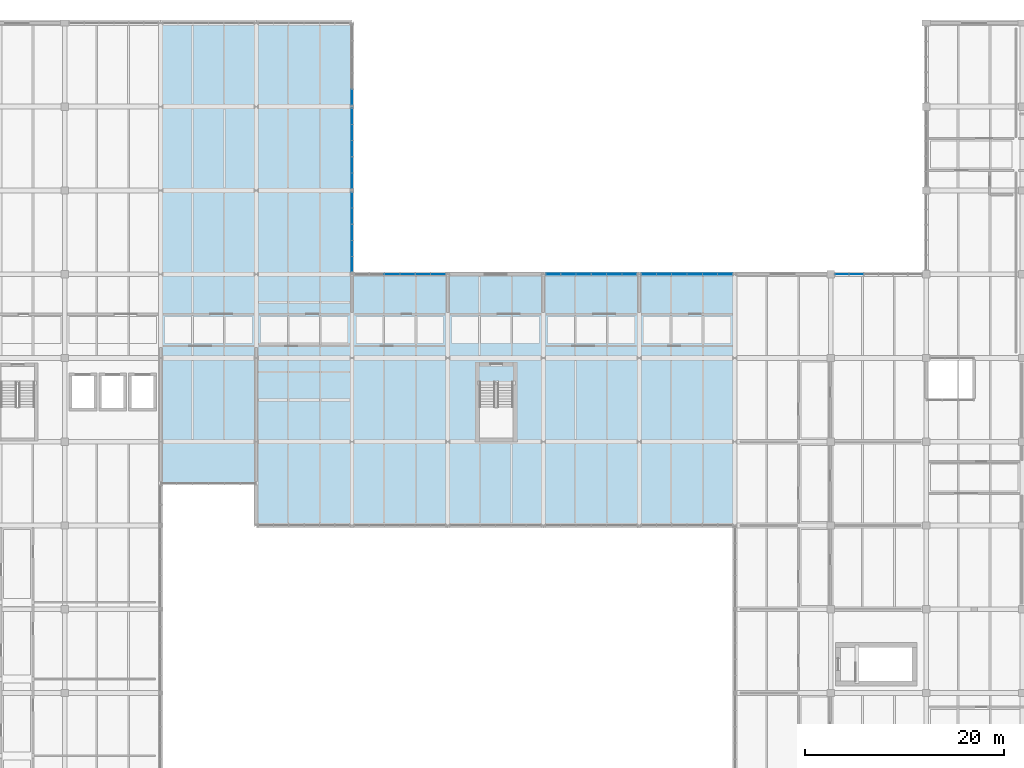
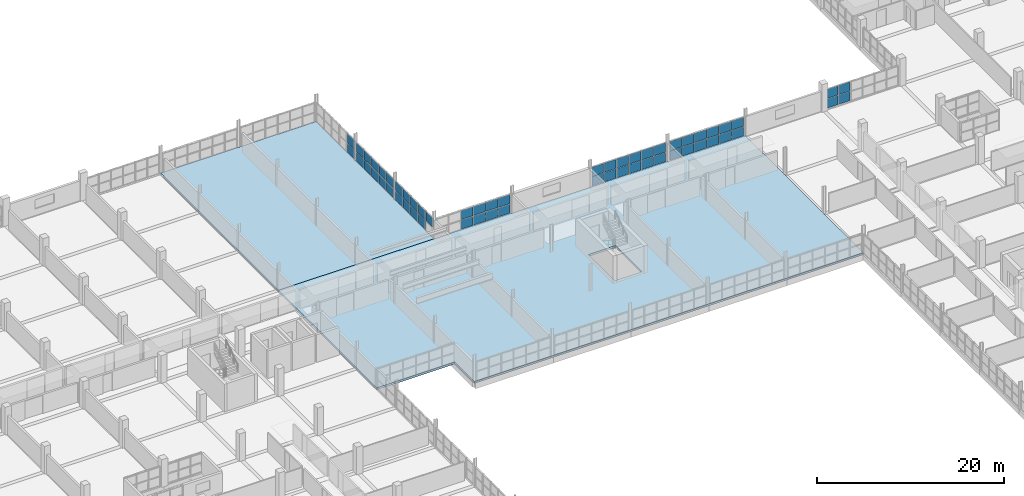
# One storey, part 97 of 147: 57 plates, 2 slabs, 7 elements without a shape of their own.
"""IFC4 building model written with IfcOpenShell, lengths in metres."""

import ifcopenshell
import ifcopenshell.guid

model = None  # the IFC model being written
_history = None  # IfcOwnerHistory: only IFC2X3 demands one
_inside = {}  # id of a spatial element -> (the spatial element, [elements in it])
_under = {}  # id of a project, library or spatial element -> (it, [spatial elements below it])
_declared = {}  # id of a project -> (the project, [libraries it declares])
_typed = {}  # id of a type object -> (the type object, [elements of that type])
_made_of = {}  # id of a material, layer set ... -> (it, [elements and type objects made of it])


def new_model(schema):
    """Start an empty IFC model of exactly this schema.

    Asked for "IFC4X3", IfcOpenShell would pick the latest addendum, in which some entities
    have other attributes; the version numbers below select the first issue.
    IFC2X3 requires an IfcOwnerHistory on every rooted entity: one is made here for all.
    """
    global model, _history
    if schema == "IFC4X3":
        model = ifcopenshell.file(schema_version=(4, 3, 0, 0))
    else:
        model = ifcopenshell.file(schema=schema)
    _inside.clear()
    _under.clear()
    _declared.clear()
    _typed.clear()
    _made_of.clear()
    _history = None
    if model.schema == "IFC2X3":
        org = make("IfcOrganization", Name="unknown")
        user = make(
            "IfcPersonAndOrganization",
            ThePerson=make("IfcPerson", FamilyName="unknown"),
            TheOrganization=org,
        )
        app = make(
            "IfcApplication",
            ApplicationDeveloper=org,
            Version="unknown",
            ApplicationFullName="unknown",
            ApplicationIdentifier="unknown",
        )
        _history = make(
            "IfcOwnerHistory",
            OwningUser=user,
            OwningApplication=app,
            ChangeAction="ADDED",
            CreationDate=0,
        )
    return model


def make(cls, **values):
    """One entity of the class cls with the attributes given. An attribute that is None is left unset."""
    return model.create_entity(
        cls, **{name: value for name, value in values.items() if value is not None}
    )


def rooted(cls, **values):
    """An entity with a GlobalId (a new one), such as an element, a storey or a relation."""
    return make(cls, GlobalId=ifcopenshell.guid.new(), OwnerHistory=_history, **values)


def si_unit(unit_type, name, prefix=None):
    """IfcSIUnit, for example si_unit("LENGTHUNIT", "METRE", prefix="MILLI")."""
    return make("IfcSIUnit", UnitType=unit_type, Prefix=prefix, Name=name)


def assignment(units):
    """IfcUnitAssignment: the units of a project."""
    return None if units is None else make("IfcUnitAssignment", Units=units)


def point(xyz):
    """IfcCartesianPoint."""
    return None if xyz is None else make("IfcCartesianPoint", Coordinates=xyz)


def direction(xyz):
    """IfcDirection."""
    return None if xyz is None else make("IfcDirection", DirectionRatios=xyz)


def frame(location, z_axis=None, x_axis=None):
    """IfcAxis2Placement3D, a coordinate frame: its origin and axes. An axis left out is left unset."""
    return make(
        "IfcAxis2Placement3D",
        Location=point(location),
        Axis=direction(z_axis),
        RefDirection=direction(x_axis),
    )


def frame_2d(location, x_axis=None):
    """IfcAxis2Placement2D, a coordinate frame in the plane: its origin and x axis."""
    return make(
        "IfcAxis2Placement2D", Location=point(location), RefDirection=direction(x_axis)
    )


def origin():
    """The frame at (0, 0, 0) with its axes left unset."""
    return frame((0.0, 0.0, 0.0))


def origin_2d():
    """The frame at (0, 0) in the plane with its x axis left unset."""
    return frame_2d((0.0, 0.0))


def place(relative_to, where):
    """IfcLocalPlacement: puts the frame where relative to a parent placement (None: the world)."""
    return make(
        "IfcLocalPlacement", PlacementRelTo=relative_to, RelativePlacement=where
    )


def context(
    kind, dimensions, precision=None, world=None, true_north=None, identifier=None
):
    """IfcGeometricRepresentationContext, for example the 3D "Model" context."""
    return make(
        "IfcGeometricRepresentationContext",
        ContextIdentifier=identifier,
        ContextType=kind,
        CoordinateSpaceDimension=dimensions,
        Precision=precision,
        WorldCoordinateSystem=world,
        TrueNorth=true_north,
    )


def subcontext(parent, identifier, kind, view, scale=None):
    """IfcGeometricRepresentationSubContext, for example "Body" below "Model"."""
    return make(
        "IfcGeometricRepresentationSubContext",
        ContextIdentifier=identifier,
        ContextType=kind,
        ParentContext=parent,
        TargetScale=scale,
        TargetView=view,
    )


def project(units=None, contexts=None):
    """IfcProject with its units and contexts."""
    return rooted(
        "IfcProject",
        Name="project",
        RepresentationContexts=contexts,
        UnitsInContext=assignment(units),
    )


def spatial(cls, under=None, at=None, **own):
    """A site, building, storey or space (cls), placed at a placement, below another one or the project."""
    s = rooted(cls, ObjectPlacement=at, **own)
    if under is not None:
        _under.setdefault(under.id(), (under, []))[1].append(s)
    return s


def polyline(points):
    """IfcPolyline through the points."""
    return make("IfcPolyline", Points=[point(p) for p in points])


def profile(cls, at=None, kind="AREA", **sizes):
    """A parametric profile (cls). Its sizes go by their IFC names, for example OverallWidth=200.0."""
    return make(cls, ProfileType=kind, Position=at, **sizes)


def rectangle(**sizes):
    """IfcRectangleProfileDef."""
    return profile("IfcRectangleProfileDef", **sizes)


def outline(outer, holes=None, kind="AREA"):
    """IfcArbitraryClosedProfileDef: a profile drawn as a closed curve; with holes, ...WithVoids."""
    if holes is None:
        return make("IfcArbitraryClosedProfileDef", ProfileType=kind, OuterCurve=outer)
    return make(
        "IfcArbitraryProfileDefWithVoids",
        ProfileType=kind,
        OuterCurve=outer,
        InnerCurves=holes,
    )


def extrude(swept, where, along, depth):
    """IfcExtrudedAreaSolid: the profile swept, set in the frame where, extruded along a direction by depth."""
    return make(
        "IfcExtrudedAreaSolid",
        SweptArea=swept,
        Position=where,
        ExtrudedDirection=direction(along),
        Depth=depth,
    )


def shape(context_of_items, identifier, shape_type, items):
    """IfcShapeRepresentation: the items that make up one representation, for example the "Body"."""
    return make(
        "IfcShapeRepresentation",
        ContextOfItems=context_of_items,
        RepresentationIdentifier=identifier,
        RepresentationType=shape_type,
        Items=items,
    )


def material(Name=None, Category=None):
    """IfcMaterial."""
    return make("IfcMaterial", Name=Name, Category=Category)


def layer(
    of_material, thickness, ventilated=None, Name=None, Category=None, Priority=None
):
    """IfcMaterialLayer: one layer of a wall or slab, of a material (None: an air gap)."""
    return make(
        "IfcMaterialLayer",
        Material=of_material,
        LayerThickness=thickness,
        IsVentilated=ventilated,
        Name=Name,
        Category=Category,
        Priority=Priority,
    )


def layer_set(layers, Name=None):
    """IfcMaterialLayerSet."""
    return make("IfcMaterialLayerSet", MaterialLayers=layers, LayerSetName=Name)


def made_of(thing, what):
    """Note that an element or type object is made of a material, layer set ...; save() writes the relation."""
    if what is not None:
        _made_of.setdefault(what.id(), (what, []))[1].append(thing)
    return thing


def type_object(cls, material=None, **own):
    """A type object (cls), such as IfcWallType, which elements share."""
    return made_of(rooted(cls, **own), material)


def element(
    cls,
    number,
    at=None,
    inside=None,
    cuts=None,
    type_object=None,
    material=None,
    context=None,
    identifier="Body",
    shape_type=None,
    held_by="IfcProductDefinitionShape",
    body=None,
    shapes=None,
    **own,
):
    """One element of the class cls, such as IfcWall. Its Tag is "e" and its number.

    at: its placement. inside: the storey or other place that contains it. cuts: it is an
    opening in that element (IfcRelVoidsElement). A single representation is given by context,
    identifier, shape_type and body (its items); several are given by shapes. held_by: the class
    of the entity that holds the representations. save() writes the other relations.
    """
    e = rooted(cls, Tag="e%d" % number, ObjectPlacement=at, **own)
    if body is not None:
        shapes = [shape(context, identifier, shape_type, body)]
    if shapes is not None:
        e.Representation = make(held_by, Representations=shapes)
    if inside is not None:
        _inside.setdefault(inside.id(), (inside, []))[1].append(e)
    if cuts is not None:
        rooted(
            "IfcRelVoidsElement", RelatingBuildingElement=cuts, RelatedOpeningElement=e
        )
    if type_object is not None:
        _typed.setdefault(type_object.id(), (type_object, []))[1].append(e)
    return made_of(e, material)


def aggregate(whole, parts):
    """IfcRelAggregates: a whole, such as a stair, and the parts it consists of."""
    return rooted("IfcRelAggregates", RelatingObject=whole, RelatedObjects=parts)


def save(model, path):
    """Write the relations noted so far, then the file.

    IfcRelAggregates (storeys below a building ...), IfcRelContainedInSpatialStructure (elements
    in a storey), IfcRelDefinesByType, IfcRelAssociatesMaterial and IfcRelDeclares: one each for
    every whole, place, type object, material and project.
    """
    for whole, parts in _under.values():
        aggregate(whole, parts)
    for where, things in _inside.values():
        rooted(
            "IfcRelContainedInSpatialStructure",
            RelatedElements=things,
            RelatingStructure=where,
        )
    for kind, things in _typed.values():
        rooted("IfcRelDefinesByType", RelatedObjects=things, RelatingType=kind)
    for what, things in _made_of.values():
        rooted("IfcRelAssociatesMaterial", RelatedObjects=things, RelatingMaterial=what)
    for by, libraries in _declared.values():
        rooted("IfcRelDeclares", RelatingContext=by, RelatedDefinitions=libraries)
    model.write(path)


model = new_model("IFC4")

# Units and contexts
model_context = context("Model", 3, precision=1e-05, world=origin(), true_north=direction((0.0, 1.0)))
body_context = subcontext(model_context, "Body", "Model", "MODEL_VIEW")
ifc_project = project(units=[si_unit("LENGTHUNIT", "METRE"), si_unit("AREAUNIT", "SQUARE_METRE"), si_unit("VOLUMEUNIT", "CUBIC_METRE"), si_unit("PLANEANGLEUNIT", "RADIAN"), si_unit("MASSUNIT", "GRAM", prefix="KILO")], contexts=[model_context])

# Site, building, storey
site_placement = place(None, origin())
site = spatial("IfcSite", under=ifc_project, at=site_placement, CompositionType="ELEMENT")
building_placement = place(site_placement, origin())
building = spatial("IfcBuilding", under=site, at=building_placement, Name="Oolite Switchyard Hospital", CompositionType="ELEMENT")
storey_placement = place(building_placement, frame((0.0, 0.0, 9.89990234375)))
storey = spatial("IfcBuildingStorey", under=building, at=storey_placement, Name="L02", CompositionType="ELEMENT", Elevation=9.89990234375)

# Curtain wall, plates
ifc_material_1 = material(Name="Thermally broken aluminum frame with laminated impact glazing", Category="aluminium")
curtain_wall_type_1 = type_object("IfcCurtainWallType", Name="CW-UNIT-96X36", PredefinedType="USERDEFINED", material=ifc_material_1)
curtain_wall_1_placement = place(storey_placement, origin())
curtain_wall_1 = element("IfcCurtainWall", 1, at=curtain_wall_1_placement, inside=storey, type_object=curtain_wall_type_1, Name="L02 Unitised Curtain Wall 264", ObjectType="UNITISED", PredefinedType="USERDEFINED")
ifc_material_2 = material(Name="Insulated fluoropolymer-coated aluminum spandrel panel", Category="aluminium")
ifc_layer_1 = layer(ifc_material_2, 0.054931640625)
ifc_layer_set_1 = layer_set([ifc_layer_1], Name="CW-PNL-SPN55")
plate_type_1 = type_object("IfcPlateType", Name="CW-PNL-SPN55", PredefinedType="CURTAIN_PANEL", material=ifc_layer_set_1)
plate_1_placement = place(storey_placement, frame((96.9794921875, 109.199951171875, 0.06005859375), z_axis=(0.0, 0.0, 1.0), x_axis=(1.0, 0.0, 0.0)))
plate_1 = element("IfcPlate", 2, at=plate_1_placement, type_object=plate_type_1, Name="CW-03 panel 1.1", PredefinedType="CURTAIN_PANEL", context=body_context, shape_type="SweptSolid", body=[
    extrude(rectangle(XDim=1.423095703125, YDim=0.054931640625, at=origin_2d()), origin(), (0.0, 0.0, 1.0), 1.195068359375),
])
plate_2_placement = place(storey_placement, frame((96.9794921875, 109.199951171875, 1.31494140625), z_axis=(0.0, 0.0, 1.0), x_axis=(1.0, 0.0, 0.0)))
plate_2 = element("IfcPlate", 3, at=plate_2_placement, type_object=plate_type_1, Name="CW-03 panel 1.2", PredefinedType="CURTAIN_PANEL", context=body_context, shape_type="SweptSolid", body=[
    extrude(rectangle(XDim=1.423095703125, YDim=0.054931640625, at=origin_2d()), origin(), (0.0, 0.0, 1.0), 1.195068359375),
])
plate_3_placement = place(storey_placement, frame((98.49658203125, 109.199951171875, 0.06005859375), z_axis=(0.0, 0.0, 1.0), x_axis=(1.0, 0.0, 0.0)))
plate_3 = element("IfcPlate", 4, at=plate_3_placement, type_object=plate_type_1, Name="CW-03 panel 2.1", PredefinedType="CURTAIN_PANEL", context=body_context, shape_type="SweptSolid", body=[
    extrude(rectangle(XDim=1.460693359375, YDim=0.054931640625, at=origin_2d()), origin(), (0.0, 0.0, 1.0), 1.195068359375),
])
plate_4_placement = place(storey_placement, frame((98.49658203125, 109.199951171875, 1.31494140625), z_axis=(0.0, 0.0, 1.0), x_axis=(1.0, 0.0, 0.0)))
plate_4 = element("IfcPlate", 5, at=plate_4_placement, type_object=plate_type_1, Name="CW-03 panel 2.2", PredefinedType="CURTAIN_PANEL", context=body_context, shape_type="SweptSolid", body=[
    extrude(rectangle(XDim=1.460693359375, YDim=0.054931640625, at=origin_2d()), origin(), (0.0, 0.0, 1.0), 1.195068359375),
])
plate_5_placement = place(storey_placement, frame((100.0322265625, 109.199951171875, 0.06005859375), z_axis=(0.0, 0.0, 1.0), x_axis=(1.0, 0.0, 0.0)))
plate_5 = element("IfcPlate", 6, at=plate_5_placement, type_object=plate_type_1, Name="CW-03 panel 3.1", PredefinedType="CURTAIN_PANEL", context=body_context, shape_type="SweptSolid", body=[
    extrude(rectangle(XDim=1.460693359375, YDim=0.054931640625, at=origin_2d()), origin(), (0.0, 0.0, 1.0), 1.195068359375),
])
plate_6_placement = place(storey_placement, frame((100.0322265625, 109.199951171875, 1.31494140625), z_axis=(0.0, 0.0, 1.0), x_axis=(1.0, 0.0, 0.0)))
plate_6 = element("IfcPlate", 7, at=plate_6_placement, type_object=plate_type_1, Name="CW-03 panel 3.2", PredefinedType="CURTAIN_PANEL", context=body_context, shape_type="SweptSolid", body=[
    extrude(rectangle(XDim=1.460693359375, YDim=0.054931640625, at=origin_2d()), origin(), (0.0, 0.0, 1.0), 1.195068359375),
])
plate_7_placement = place(storey_placement, frame((101.56787109375, 109.199951171875, 0.06005859375), z_axis=(0.0, 0.0, 1.0), x_axis=(1.0, 0.0, 0.0)))
plate_7 = element("IfcPlate", 8, at=plate_7_placement, type_object=plate_type_1, Name="CW-03 panel 4.1", PredefinedType="CURTAIN_PANEL", context=body_context, shape_type="SweptSolid", body=[
    extrude(rectangle(XDim=1.460693359375, YDim=0.054931640625, at=origin_2d()), origin(), (0.0, 0.0, 1.0), 1.195068359375),
])
plate_8_placement = place(storey_placement, frame((101.56787109375, 109.199951171875, 1.31494140625), z_axis=(0.0, 0.0, 1.0), x_axis=(1.0, 0.0, 0.0)))
plate_8 = element("IfcPlate", 9, at=plate_8_placement, type_object=plate_type_1, Name="CW-03 panel 4.2", PredefinedType="CURTAIN_PANEL", context=body_context, shape_type="SweptSolid", body=[
    extrude(rectangle(XDim=1.460693359375, YDim=0.054931640625, at=origin_2d()), origin(), (0.0, 0.0, 1.0), 1.195068359375),
])
plate_9_placement = place(storey_placement, frame((103.103515625, 109.199951171875, 0.06005859375), z_axis=(0.0, 0.0, 1.0), x_axis=(1.0, 0.0, 0.0)))
plate_9 = element("IfcPlate", 10, at=plate_9_placement, type_object=plate_type_1, Name="CW-03 panel 5.1", PredefinedType="CURTAIN_PANEL", context=body_context, shape_type="SweptSolid", body=[
    extrude(rectangle(XDim=1.460693359375, YDim=0.054931640625, at=origin_2d()), origin(), (0.0, 0.0, 1.0), 1.195068359375),
])
plate_10_placement = place(storey_placement, frame((103.103515625, 109.199951171875, 1.31494140625), z_axis=(0.0, 0.0, 1.0), x_axis=(1.0, 0.0, 0.0)))
plate_10 = element("IfcPlate", 11, at=plate_10_placement, type_object=plate_type_1, Name="CW-03 panel 5.2", PredefinedType="CURTAIN_PANEL", context=body_context, shape_type="SweptSolid", body=[
    extrude(rectangle(XDim=1.460693359375, YDim=0.054931640625, at=origin_2d()), origin(), (0.0, 0.0, 1.0), 1.195068359375),
])
plate_11_placement = place(storey_placement, frame((104.620361328125, 109.199951171875, 0.06005859375), z_axis=(0.0, 0.0, 1.0), x_axis=(1.0, 0.0, 0.0)))
plate_11 = element("IfcPlate", 12, at=plate_11_placement, type_object=plate_type_1, Name="CW-03 panel 6.1", PredefinedType="CURTAIN_PANEL", context=body_context, shape_type="SweptSolid", body=[
    extrude(rectangle(XDim=1.423095703125, YDim=0.054931640625, at=origin_2d()), origin(), (0.0, 0.0, 1.0), 1.195068359375),
])
plate_12_placement = place(storey_placement, frame((104.620361328125, 109.199951171875, 1.31494140625), z_axis=(0.0, 0.0, 1.0), x_axis=(1.0, 0.0, 0.0)))
plate_12 = element("IfcPlate", 13, at=plate_12_placement, type_object=plate_type_1, Name="CW-03 panel 6.2", PredefinedType="CURTAIN_PANEL", context=body_context, shape_type="SweptSolid", body=[
    extrude(rectangle(XDim=1.423095703125, YDim=0.054931640625, at=origin_2d()), origin(), (0.0, 0.0, 1.0), 1.195068359375),
])
aggregate(curtain_wall_1, [plate_1, plate_2, plate_3, plate_4, plate_5, plate_6, plate_7, plate_8, plate_9, plate_10, plate_11, plate_12])

curtain_wall_2_placement = place(storey_placement, origin())
curtain_wall_2 = element("IfcCurtainWall", 14, at=curtain_wall_2_placement, inside=storey, type_object=curtain_wall_type_1, Name="L02 Unitised Curtain Wall 265", ObjectType="UNITISED", PredefinedType="USERDEFINED")
ifc_layer_2 = layer(ifc_material_2, 0.070068359375)
ifc_layer_set_2 = layer_set([ifc_layer_2], Name="CW-PNL-SPN70")
plate_type_2 = type_object("IfcPlateType", Name="CW-PNL-SPN70", PredefinedType="CURTAIN_PANEL", material=ifc_layer_set_2)
plate_13_placement = place(storey_placement, frame((106.575927734375, 109.199951171875, 0.0751953125), z_axis=(0.0, 0.0, 1.0), x_axis=(1.0, 0.0, 0.0)))
plate_13 = element("IfcPlate", 15, at=plate_13_placement, type_object=plate_type_2, Name="CW-03 panel 1.1", PredefinedType="CURTAIN_PANEL", context=body_context, shape_type="SweptSolid", body=[
    extrude(rectangle(XDim=1.445556640625, YDim=0.070068359375, at=origin_2d()), origin(), (0.0, 0.0, 1.0), 1.172607421875),
])
plate_14_placement = place(storey_placement, frame((106.575927734375, 109.199951171875, 1.32275390625), z_axis=(0.0, 0.0, 1.0), x_axis=(1.0, 0.0, 0.0)))
plate_14 = element("IfcPlate", 16, at=plate_14_placement, type_object=plate_type_2, Name="CW-03 panel 1.2", PredefinedType="CURTAIN_PANEL", context=body_context, shape_type="SweptSolid", body=[
    extrude(rectangle(XDim=1.445556640625, YDim=0.070068359375, at=origin_2d()), origin(), (0.0, 0.0, 1.0), 1.172607421875),
])
plate_15_placement = place(storey_placement, frame((108.096435546875, 109.199951171875, 0.0751953125), z_axis=(0.0, 0.0, 1.0), x_axis=(1.0, 0.0, 0.0)))
plate_15 = element("IfcPlate", 17, at=plate_15_placement, type_object=plate_type_2, Name="CW-03 panel 2.1", PredefinedType="CURTAIN_PANEL", context=body_context, shape_type="SweptSolid", body=[
    extrude(rectangle(XDim=1.4755859375, YDim=0.070068359375, at=origin_2d()), origin(), (0.0, 0.0, 1.0), 1.172607421875),
])
plate_16_placement = place(storey_placement, frame((108.096435546875, 109.199951171875, 1.32275390625), z_axis=(0.0, 0.0, 1.0), x_axis=(1.0, 0.0, 0.0)))
plate_16 = element("IfcPlate", 18, at=plate_16_placement, type_object=plate_type_2, Name="CW-03 panel 2.2", PredefinedType="CURTAIN_PANEL", context=body_context, shape_type="SweptSolid", body=[
    extrude(rectangle(XDim=1.4755859375, YDim=0.070068359375, at=origin_2d()), origin(), (0.0, 0.0, 1.0), 1.172607421875),
])
plate_17_placement = place(storey_placement, frame((109.632080078125, 109.199951171875, 0.0751953125), z_axis=(0.0, 0.0, 1.0), x_axis=(1.0, 0.0, 0.0)))
plate_17 = element("IfcPlate", 19, at=plate_17_placement, type_object=plate_type_2, Name="CW-03 panel 3.1", PredefinedType="CURTAIN_PANEL", context=body_context, shape_type="SweptSolid", body=[
    extrude(rectangle(XDim=1.4755859375, YDim=0.070068359375, at=origin_2d()), origin(), (0.0, 0.0, 1.0), 1.172607421875),
])
plate_18_placement = place(storey_placement, frame((109.632080078125, 109.199951171875, 1.32275390625), z_axis=(0.0, 0.0, 1.0), x_axis=(1.0, 0.0, 0.0)))
plate_18 = element("IfcPlate", 20, at=plate_18_placement, type_object=plate_type_2, Name="CW-03 panel 3.2", PredefinedType="CURTAIN_PANEL", context=body_context, shape_type="SweptSolid", body=[
    extrude(rectangle(XDim=1.4755859375, YDim=0.070068359375, at=origin_2d()), origin(), (0.0, 0.0, 1.0), 1.172607421875),
])
plate_19_placement = place(storey_placement, frame((111.167724609375, 109.199951171875, 0.0751953125), z_axis=(0.0, 0.0, 1.0), x_axis=(1.0, 0.0, 0.0)))
plate_19 = element("IfcPlate", 21, at=plate_19_placement, type_object=plate_type_2, Name="CW-03 panel 4.1", PredefinedType="CURTAIN_PANEL", context=body_context, shape_type="SweptSolid", body=[
    extrude(rectangle(XDim=1.4755859375, YDim=0.070068359375, at=origin_2d()), origin(), (0.0, 0.0, 1.0), 1.172607421875),
])
plate_20_placement = place(storey_placement, frame((111.167724609375, 109.199951171875, 1.32275390625), z_axis=(0.0, 0.0, 1.0), x_axis=(1.0, 0.0, 0.0)))
plate_20 = element("IfcPlate", 22, at=plate_20_placement, type_object=plate_type_2, Name="CW-03 panel 4.2", PredefinedType="CURTAIN_PANEL", context=body_context, shape_type="SweptSolid", body=[
    extrude(rectangle(XDim=1.4755859375, YDim=0.070068359375, at=origin_2d()), origin(), (0.0, 0.0, 1.0), 1.172607421875),
])
plate_21_placement = place(storey_placement, frame((112.70361328125, 109.199951171875, 0.0751953125), z_axis=(0.0, 0.0, 1.0), x_axis=(1.0, 0.0, 0.0)))
plate_21 = element("IfcPlate", 23, at=plate_21_placement, type_object=plate_type_2, Name="CW-03 panel 5.1", PredefinedType="CURTAIN_PANEL", context=body_context, shape_type="SweptSolid", body=[
    extrude(rectangle(XDim=1.4755859375, YDim=0.070068359375, at=origin_2d()), origin(), (0.0, 0.0, 1.0), 1.172607421875),
])
plate_22_placement = place(storey_placement, frame((112.70361328125, 109.199951171875, 1.32275390625), z_axis=(0.0, 0.0, 1.0), x_axis=(1.0, 0.0, 0.0)))
plate_22 = element("IfcPlate", 24, at=plate_22_placement, type_object=plate_type_2, Name="CW-03 panel 5.2", PredefinedType="CURTAIN_PANEL", context=body_context, shape_type="SweptSolid", body=[
    extrude(rectangle(XDim=1.4755859375, YDim=0.070068359375, at=origin_2d()), origin(), (0.0, 0.0, 1.0), 1.172607421875),
])
plate_23_placement = place(storey_placement, frame((114.22412109375, 109.199951171875, 0.0751953125), z_axis=(0.0, 0.0, 1.0), x_axis=(1.0, 0.0, 0.0)))
plate_23 = element("IfcPlate", 25, at=plate_23_placement, type_object=plate_type_2, Name="CW-03 panel 6.1", PredefinedType="CURTAIN_PANEL", context=body_context, shape_type="SweptSolid", body=[
    extrude(rectangle(XDim=1.445556640625, YDim=0.070068359375, at=origin_2d()), origin(), (0.0, 0.0, 1.0), 1.172607421875),
])
plate_24_placement = place(storey_placement, frame((114.22412109375, 109.199951171875, 1.32275390625), z_axis=(0.0, 0.0, 1.0), x_axis=(1.0, 0.0, 0.0)))
plate_24 = element("IfcPlate", 26, at=plate_24_placement, type_object=plate_type_2, Name="CW-03 panel 6.2", PredefinedType="CURTAIN_PANEL", context=body_context, shape_type="SweptSolid", body=[
    extrude(rectangle(XDim=1.445556640625, YDim=0.070068359375, at=origin_2d()), origin(), (0.0, 0.0, 1.0), 1.172607421875),
])
aggregate(curtain_wall_2, [plate_13, plate_14, plate_15, plate_16, plate_17, plate_18, plate_19, plate_20, plate_21, plate_22, plate_23, plate_24])

curtain_wall_3_placement = place(storey_placement, origin())
curtain_wall_3 = element("IfcCurtainWall", 27, at=curtain_wall_3_placement, inside=storey, type_object=curtain_wall_type_1, Name="L02 Unitised Curtain Wall 263", ObjectType="UNITISED", PredefinedType="USERDEFINED")
ifc_material_3 = material(Name="Laminated hurricane-impact insulated glazing unit", Category="glass")
ifc_layer_3 = layer(ifc_material_3, 0.031982421875)
ifc_layer_set_3 = layer_set([ifc_layer_3], Name="CW-PNL-VIS32")
plate_type_3 = type_object("IfcPlateType", Name="CW-PNL-VIS32", PredefinedType="CURTAIN_PANEL", material=ifc_layer_set_3)
plate_25_placement = place(storey_placement, frame((80.832275390625, 109.199951171875, 0.0751953125), z_axis=(0.0, 0.0, 1.0), x_axis=(1.0, 0.0, 0.0)))
plate_25 = element("IfcPlate", 28, at=plate_25_placement, type_object=plate_type_3, Name="CW-03 panel 3.1", PredefinedType="CURTAIN_PANEL", context=body_context, shape_type="SweptSolid", body=[
    extrude(rectangle(XDim=1.465576171875, YDim=0.031982421875, at=origin_2d()), origin(), (0.0, 0.0, 1.0), 1.172607421875),
])
plate_26_placement = place(storey_placement, frame((80.832275390625, 109.199951171875, 1.32275390625), z_axis=(0.0, 0.0, 1.0), x_axis=(1.0, 0.0, 0.0)))
plate_26 = element("IfcPlate", 29, at=plate_26_placement, type_object=plate_type_3, Name="CW-03 panel 3.2", PredefinedType="CURTAIN_PANEL", context=body_context, shape_type="SweptSolid", body=[
    extrude(rectangle(XDim=1.465576171875, YDim=0.031982421875, at=origin_2d()), origin(), (0.0, 0.0, 1.0), 1.172607421875),
])
plate_27_placement = place(storey_placement, frame((82.367919921875, 109.199951171875, 0.0751953125), z_axis=(0.0, 0.0, 1.0), x_axis=(1.0, 0.0, 0.0)))
plate_27 = element("IfcPlate", 30, at=plate_27_placement, type_object=plate_type_3, Name="CW-03 panel 4.1", PredefinedType="CURTAIN_PANEL", context=body_context, shape_type="SweptSolid", body=[
    extrude(rectangle(XDim=1.465576171875, YDim=0.031982421875, at=origin_2d()), origin(), (0.0, 0.0, 1.0), 1.172607421875),
])
plate_28_placement = place(storey_placement, frame((82.367919921875, 109.199951171875, 1.32275390625), z_axis=(0.0, 0.0, 1.0), x_axis=(1.0, 0.0, 0.0)))
plate_28 = element("IfcPlate", 31, at=plate_28_placement, type_object=plate_type_3, Name="CW-03 panel 4.2", PredefinedType="CURTAIN_PANEL", context=body_context, shape_type="SweptSolid", body=[
    extrude(rectangle(XDim=1.465576171875, YDim=0.031982421875, at=origin_2d()), origin(), (0.0, 0.0, 1.0), 1.172607421875),
])
plate_29_placement = place(storey_placement, frame((83.903564453125, 109.199951171875, 0.0751953125), z_axis=(0.0, 0.0, 1.0), x_axis=(1.0, 0.0, 0.0)))
plate_29 = element("IfcPlate", 32, at=plate_29_placement, type_object=plate_type_3, Name="CW-03 panel 5.1", PredefinedType="CURTAIN_PANEL", context=body_context, shape_type="SweptSolid", body=[
    extrude(rectangle(XDim=1.465576171875, YDim=0.031982421875, at=origin_2d()), origin(), (0.0, 0.0, 1.0), 1.172607421875),
])
plate_30_placement = place(storey_placement, frame((83.903564453125, 109.199951171875, 1.32275390625), z_axis=(0.0, 0.0, 1.0), x_axis=(1.0, 0.0, 0.0)))
plate_30 = element("IfcPlate", 33, at=plate_30_placement, type_object=plate_type_3, Name="CW-03 panel 5.2", PredefinedType="CURTAIN_PANEL", context=body_context, shape_type="SweptSolid", body=[
    extrude(rectangle(XDim=1.465576171875, YDim=0.031982421875, at=origin_2d()), origin(), (0.0, 0.0, 1.0), 1.172607421875),
])
plate_31_placement = place(storey_placement, frame((85.421630859375, 109.199951171875, 0.0751953125), z_axis=(0.0, 0.0, 1.0), x_axis=(1.0, 0.0, 0.0)))
plate_31 = element("IfcPlate", 34, at=plate_31_placement, type_object=plate_type_3, Name="CW-03 panel 6.1", PredefinedType="CURTAIN_PANEL", context=body_context, shape_type="SweptSolid", body=[
    extrude(rectangle(XDim=1.4306640625, YDim=0.031982421875, at=origin_2d()), origin(), (0.0, 0.0, 1.0), 1.172607421875),
])
plate_32_placement = place(storey_placement, frame((85.421630859375, 109.199951171875, 1.32275390625), z_axis=(0.0, 0.0, 1.0), x_axis=(1.0, 0.0, 0.0)))
plate_32 = element("IfcPlate", 35, at=plate_32_placement, type_object=plate_type_3, Name="CW-03 panel 6.2", PredefinedType="CURTAIN_PANEL", context=body_context, shape_type="SweptSolid", body=[
    extrude(rectangle(XDim=1.4306640625, YDim=0.031982421875, at=origin_2d()), origin(), (0.0, 0.0, 1.0), 1.172607421875),
])
aggregate(curtain_wall_3, [plate_25, plate_26, plate_27, plate_28, plate_29, plate_30, plate_31, plate_32])

curtain_wall_type_2 = type_object("IfcCurtainWallType", Name="CW-UNIT-84X36", PredefinedType="USERDEFINED", material=ifc_material_1)
curtain_wall_4_placement = place(storey_placement, origin())
curtain_wall_4 = element("IfcCurtainWall", 36, at=curtain_wall_4_placement, inside=storey, type_object=curtain_wall_type_2, Name="L02 Unitised Curtain Wall 288", ObjectType="UNITISED", PredefinedType="USERDEFINED")
plate_33_placement = place(storey_placement, frame((76.800048828125, 126.970458984375, 0.06005859375), z_axis=(0.0, 0.0, 1.0), x_axis=(0.0, -1.0, 0.0)))
plate_33 = element("IfcPlate", 37, at=plate_33_placement, type_object=plate_type_3, Name="CW-08 panel 5.1", PredefinedType="CURTAIN_PANEL", context=body_context, shape_type="SweptSolid", body=[
    extrude(rectangle(XDim=1.507080078125, YDim=0.031982421875, at=origin_2d()), origin(), (0.0, 0.0, 1.0), 1.195068359375),
])
plate_34_placement = place(storey_placement, frame((76.800048828125, 126.970458984375, 1.31494140625), z_axis=(0.0, 0.0, 1.0), x_axis=(0.0, -1.0, 0.0)))
plate_34 = element("IfcPlate", 38, at=plate_34_placement, type_object=plate_type_3, Name="CW-08 panel 5.2", PredefinedType="CURTAIN_PANEL", context=body_context, shape_type="SweptSolid", body=[
    extrude(rectangle(XDim=1.507080078125, YDim=0.031982421875, at=origin_2d()), origin(), (0.0, 0.0, 1.0), 1.195068359375),
])
aggregate(curtain_wall_4, [plate_33, plate_34])

curtain_wall_5_placement = place(storey_placement, origin())
curtain_wall_5 = element("IfcCurtainWall", 39, at=curtain_wall_5_placement, inside=storey, type_object=curtain_wall_type_1, Name="L02 Unitised Curtain Wall 266", ObjectType="UNITISED", PredefinedType="USERDEFINED")
ifc_layer_4 = layer(ifc_material_3, 0.035888671875)
ifc_layer_set_4 = layer_set([ifc_layer_4], Name="CW-PNL-VIS36")
plate_type_4 = type_object("IfcPlateType", Name="CW-PNL-VIS36", PredefinedType="CURTAIN_PANEL", material=ifc_layer_set_4)
plate_35_placement = place(storey_placement, frame((125.9423828125, 109.199951171875, 0.06005859375), z_axis=(0.0, 0.0, 1.0), x_axis=(1.0, 0.0, 0.0)))
plate_35 = element("IfcPlate", 40, at=plate_35_placement, type_object=plate_type_4, Name="CW-03 panel 1.1", PredefinedType="CURTAIN_PANEL", context=body_context, shape_type="SweptSolid", body=[
    extrude(rectangle(XDim=1.364990234375, YDim=0.035888671875, at=origin_2d()), origin(), (0.0, 0.0, 1.0), 1.195068359375),
])
plate_36_placement = place(storey_placement, frame((125.9423828125, 109.199951171875, 1.31494140625), z_axis=(0.0, 0.0, 1.0), x_axis=(1.0, 0.0, 0.0)))
plate_36 = element("IfcPlate", 41, at=plate_36_placement, type_object=plate_type_4, Name="CW-03 panel 1.2", PredefinedType="CURTAIN_PANEL", context=body_context, shape_type="SweptSolid", body=[
    extrude(rectangle(XDim=1.364990234375, YDim=0.035888671875, at=origin_2d()), origin(), (0.0, 0.0, 1.0), 1.195068359375),
])
plate_37_placement = place(storey_placement, frame((127.39501953125, 109.199951171875, 0.06005859375), z_axis=(0.0, 0.0, 1.0), x_axis=(1.0, 0.0, 0.0)))
plate_37 = element("IfcPlate", 42, at=plate_37_placement, type_object=plate_type_4, Name="CW-03 panel 2.1", PredefinedType="CURTAIN_PANEL", context=body_context, shape_type="SweptSolid", body=[
    extrude(rectangle(XDim=1.39990234375, YDim=0.035888671875, at=origin_2d()), origin(), (0.0, 0.0, 1.0), 1.195068359375),
])
plate_38_placement = place(storey_placement, frame((127.39501953125, 109.199951171875, 1.31494140625), z_axis=(0.0, 0.0, 1.0), x_axis=(1.0, 0.0, 0.0)))
plate_38 = element("IfcPlate", 43, at=plate_38_placement, type_object=plate_type_4, Name="CW-03 panel 2.2", PredefinedType="CURTAIN_PANEL", context=body_context, shape_type="SweptSolid", body=[
    extrude(rectangle(XDim=1.39990234375, YDim=0.035888671875, at=origin_2d()), origin(), (0.0, 0.0, 1.0), 1.195068359375),
])
aggregate(curtain_wall_5, [plate_35, plate_36, plate_37, plate_38])

curtain_wall_6_placement = place(storey_placement, origin())
curtain_wall_6 = element("IfcCurtainWall", 44, at=curtain_wall_6_placement, inside=storey, type_object=curtain_wall_type_2, Name="L02 Unitised Curtain Wall 289", ObjectType="UNITISED", PredefinedType="USERDEFINED")
plate_39_placement = place(storey_placement, frame((76.800048828125, 125.031494140625, 0.0751953125), z_axis=(0.0, 0.0, 1.0), x_axis=(0.0, -1.0, 0.0)))
plate_39 = element("IfcPlate", 45, at=plate_39_placement, type_object=plate_type_4, Name="CW-08 panel 1.1", PredefinedType="CURTAIN_PANEL", context=body_context, shape_type="SweptSolid", body=[
    extrude(rectangle(XDim=1.533203125, YDim=0.035888671875, at=origin_2d()), origin(), (0.0, 0.0, 1.0), 1.172607421875),
])
plate_40_placement = place(storey_placement, frame((76.800048828125, 125.031494140625, 1.32275390625), z_axis=(0.0, 0.0, 1.0), x_axis=(0.0, -1.0, 0.0)))
plate_40 = element("IfcPlate", 46, at=plate_40_placement, type_object=plate_type_4, Name="CW-08 panel 1.2", PredefinedType="CURTAIN_PANEL", context=body_context, shape_type="SweptSolid", body=[
    extrude(rectangle(XDim=1.533203125, YDim=0.035888671875, at=origin_2d()), origin(), (0.0, 0.0, 1.0), 1.172607421875),
])
plate_41_placement = place(storey_placement, frame((76.800048828125, 123.423095703125, 0.0751953125), z_axis=(0.0, 0.0, 1.0), x_axis=(0.0, -1.0, 0.0)))
plate_41 = element("IfcPlate", 47, at=plate_41_placement, type_object=plate_type_4, Name="CW-08 panel 2.1", PredefinedType="CURTAIN_PANEL", context=body_context, shape_type="SweptSolid", body=[
    extrude(rectangle(XDim=1.563232421875, YDim=0.035888671875, at=origin_2d()), origin(), (0.0, 0.0, 1.0), 1.172607421875),
])
plate_42_placement = place(storey_placement, frame((76.800048828125, 123.423095703125, 1.32275390625), z_axis=(0.0, 0.0, 1.0), x_axis=(0.0, -1.0, 0.0)))
plate_42 = element("IfcPlate", 48, at=plate_42_placement, type_object=plate_type_4, Name="CW-08 panel 2.2", PredefinedType="CURTAIN_PANEL", context=body_context, shape_type="SweptSolid", body=[
    extrude(rectangle(XDim=1.563232421875, YDim=0.035888671875, at=origin_2d()), origin(), (0.0, 0.0, 1.0), 1.172607421875),
])
plate_43_placement = place(storey_placement, frame((76.800048828125, 121.800048828125, 0.0751953125), z_axis=(0.0, 0.0, 1.0), x_axis=(0.0, -1.0, 0.0)))
plate_43 = element("IfcPlate", 49, at=plate_43_placement, type_object=plate_type_4, Name="CW-08 panel 3.1", PredefinedType="CURTAIN_PANEL", context=body_context, shape_type="SweptSolid", body=[
    extrude(rectangle(XDim=1.563232421875, YDim=0.035888671875, at=origin_2d()), origin(), (0.0, 0.0, 1.0), 1.172607421875),
])
plate_44_placement = place(storey_placement, frame((76.800048828125, 121.800048828125, 1.32275390625), z_axis=(0.0, 0.0, 1.0), x_axis=(0.0, -1.0, 0.0)))
plate_44 = element("IfcPlate", 50, at=plate_44_placement, type_object=plate_type_4, Name="CW-08 panel 3.2", PredefinedType="CURTAIN_PANEL", context=body_context, shape_type="SweptSolid", body=[
    extrude(rectangle(XDim=1.563232421875, YDim=0.035888671875, at=origin_2d()), origin(), (0.0, 0.0, 1.0), 1.172607421875),
])
plate_45_placement = place(storey_placement, frame((76.800048828125, 120.1767578125, 0.0751953125), z_axis=(0.0, 0.0, 1.0), x_axis=(0.0, -1.0, 0.0)))
plate_45 = element("IfcPlate", 51, at=plate_45_placement, type_object=plate_type_4, Name="CW-08 panel 4.1", PredefinedType="CURTAIN_PANEL", context=body_context, shape_type="SweptSolid", body=[
    extrude(rectangle(XDim=1.563232421875, YDim=0.035888671875, at=origin_2d()), origin(), (0.0, 0.0, 1.0), 1.172607421875),
])
plate_46_placement = place(storey_placement, frame((76.800048828125, 120.1767578125, 1.32275390625), z_axis=(0.0, 0.0, 1.0), x_axis=(0.0, -1.0, 0.0)))
plate_46 = element("IfcPlate", 52, at=plate_46_placement, type_object=plate_type_4, Name="CW-08 panel 4.2", PredefinedType="CURTAIN_PANEL", context=body_context, shape_type="SweptSolid", body=[
    extrude(rectangle(XDim=1.563232421875, YDim=0.035888671875, at=origin_2d()), origin(), (0.0, 0.0, 1.0), 1.172607421875),
])
plate_47_placement = place(storey_placement, frame((76.800048828125, 118.568603515625, 0.0751953125), z_axis=(0.0, 0.0, 1.0), x_axis=(0.0, -1.0, 0.0)))
plate_47 = element("IfcPlate", 53, at=plate_47_placement, type_object=plate_type_4, Name="CW-08 panel 5.1", PredefinedType="CURTAIN_PANEL", context=body_context, shape_type="SweptSolid", body=[
    extrude(rectangle(XDim=1.533203125, YDim=0.035888671875, at=origin_2d()), origin(), (0.0, 0.0, 1.0), 1.172607421875),
])
plate_48_placement = place(storey_placement, frame((76.800048828125, 118.568603515625, 1.32275390625), z_axis=(0.0, 0.0, 1.0), x_axis=(0.0, -1.0, 0.0)))
plate_48 = element("IfcPlate", 54, at=plate_48_placement, type_object=plate_type_4, Name="CW-08 panel 5.2", PredefinedType="CURTAIN_PANEL", context=body_context, shape_type="SweptSolid", body=[
    extrude(rectangle(XDim=1.533203125, YDim=0.035888671875, at=origin_2d()), origin(), (0.0, 0.0, 1.0), 1.172607421875),
])
aggregate(curtain_wall_6, [plate_39, plate_40, plate_41, plate_42, plate_43, plate_44, plate_45, plate_46, plate_47, plate_48])

curtain_wall_7_placement = place(storey_placement, origin())
curtain_wall_7 = element("IfcCurtainWall", 55, at=curtain_wall_7_placement, inside=storey, type_object=curtain_wall_type_2, Name="L02 Unitised Curtain Wall 290", ObjectType="UNITISED", PredefinedType="USERDEFINED")
ifc_layer_5 = layer(ifc_material_3, 0.0419921875)
ifc_layer_set_5 = layer_set([ifc_layer_5], Name="CW-PNL-VIS42")
plate_type_5 = type_object("IfcPlateType", Name="CW-PNL-VIS42", PredefinedType="CURTAIN_PANEL", material=ifc_layer_set_5)
plate_49_placement = place(storey_placement, frame((76.800048828125, 116.630615234375, 0.06005859375), z_axis=(0.0, 0.0, 1.0), x_axis=(0.0, -1.0, 0.0)))
plate_49 = element("IfcPlate", 56, at=plate_49_placement, type_object=plate_type_5, Name="CW-08 panel 1.1", PredefinedType="CURTAIN_PANEL", context=body_context, shape_type="SweptSolid", body=[
    extrude(rectangle(XDim=1.5146484375, YDim=0.0419921875, at=origin_2d()), origin(), (0.0, 0.0, 1.0), 1.195068359375),
])
plate_50_placement = place(storey_placement, frame((76.800048828125, 116.630615234375, 1.31494140625), z_axis=(0.0, 0.0, 1.0), x_axis=(0.0, -1.0, 0.0)))
plate_50 = element("IfcPlate", 57, at=plate_50_placement, type_object=plate_type_5, Name="CW-08 panel 1.2", PredefinedType="CURTAIN_PANEL", context=body_context, shape_type="SweptSolid", body=[
    extrude(rectangle(XDim=1.5146484375, YDim=0.0419921875, at=origin_2d()), origin(), (0.0, 0.0, 1.0), 1.195068359375),
])
plate_51_placement = place(storey_placement, frame((76.800048828125, 115.028564453125, 0.06005859375), z_axis=(0.0, 0.0, 1.0), x_axis=(0.0, -1.0, 0.0)))
plate_51 = element("IfcPlate", 58, at=plate_51_placement, type_object=plate_type_5, Name="CW-08 panel 2.1", PredefinedType="CURTAIN_PANEL", context=body_context, shape_type="SweptSolid", body=[
    extrude(rectangle(XDim=1.549560546875, YDim=0.0419921875, at=origin_2d()), origin(), (0.0, 0.0, 1.0), 1.195068359375),
])
plate_52_placement = place(storey_placement, frame((76.800048828125, 115.028564453125, 1.31494140625), z_axis=(0.0, 0.0, 1.0), x_axis=(0.0, -1.0, 0.0)))
plate_52 = element("IfcPlate", 59, at=plate_52_placement, type_object=plate_type_5, Name="CW-08 panel 2.2", PredefinedType="CURTAIN_PANEL", context=body_context, shape_type="SweptSolid", body=[
    extrude(rectangle(XDim=1.549560546875, YDim=0.0419921875, at=origin_2d()), origin(), (0.0, 0.0, 1.0), 1.195068359375),
])
plate_53_placement = place(storey_placement, frame((76.800048828125, 113.408935546875, 0.06005859375), z_axis=(0.0, 0.0, 1.0), x_axis=(0.0, -1.0, 0.0)))
plate_53 = element("IfcPlate", 60, at=plate_53_placement, type_object=plate_type_5, Name="CW-08 panel 3.1", PredefinedType="CURTAIN_PANEL", context=body_context, shape_type="SweptSolid", body=[
    extrude(rectangle(XDim=1.549560546875, YDim=0.0419921875, at=origin_2d()), origin(), (0.0, 0.0, 1.0), 1.195068359375),
])
plate_54_placement = place(storey_placement, frame((76.800048828125, 113.408935546875, 1.31494140625), z_axis=(0.0, 0.0, 1.0), x_axis=(0.0, -1.0, 0.0)))
plate_54 = element("IfcPlate", 61, at=plate_54_placement, type_object=plate_type_5, Name="CW-08 panel 3.2", PredefinedType="CURTAIN_PANEL", context=body_context, shape_type="SweptSolid", body=[
    extrude(rectangle(XDim=1.549560546875, YDim=0.0419921875, at=origin_2d()), origin(), (0.0, 0.0, 1.0), 1.195068359375),
])
plate_55_placement = place(storey_placement, frame((76.800048828125, 111.789306640625, 0.06005859375), z_axis=(0.0, 0.0, 1.0), x_axis=(0.0, -1.0, 0.0)))
plate_55 = element("IfcPlate", 62, at=plate_55_placement, type_object=plate_type_5, Name="CW-08 panel 4.1", PredefinedType="CURTAIN_PANEL", context=body_context, shape_type="SweptSolid", body=[
    extrude(rectangle(XDim=1.549560546875, YDim=0.0419921875, at=origin_2d()), origin(), (0.0, 0.0, 1.0), 1.195068359375),
])
plate_56_placement = place(storey_placement, frame((76.800048828125, 111.789306640625, 1.31494140625), z_axis=(0.0, 0.0, 1.0), x_axis=(0.0, -1.0, 0.0)))
plate_56 = element("IfcPlate", 63, at=plate_56_placement, type_object=plate_type_5, Name="CW-08 panel 4.2", PredefinedType="CURTAIN_PANEL", context=body_context, shape_type="SweptSolid", body=[
    extrude(rectangle(XDim=1.549560546875, YDim=0.0419921875, at=origin_2d()), origin(), (0.0, 0.0, 1.0), 1.195068359375),
])
plate_57_placement = place(storey_placement, frame((76.800048828125, 110.187255859375, 1.31494140625), z_axis=(0.0, 0.0, 1.0), x_axis=(0.0, -1.0, 0.0)))
plate_57 = element("IfcPlate", 64, at=plate_57_placement, type_object=plate_type_5, Name="CW-08 panel 5.2", PredefinedType="CURTAIN_PANEL", context=body_context, shape_type="SweptSolid", body=[
    extrude(rectangle(XDim=1.5146484375, YDim=0.0419921875, at=origin_2d()), origin(), (0.0, 0.0, 1.0), 1.195068359375),
])
aggregate(curtain_wall_7, [plate_49, plate_50, plate_51, plate_52, plate_53, plate_54, plate_55, plate_56, plate_57])

# Slabs
ifc_material_4 = material(Name="Concrete C40/50", Category="concrete")
ifc_layer_6 = layer(ifc_material_4, 0.260009765625)
ifc_layer_set_6 = layer_set([ifc_layer_6], Name="SLB-INT-260")
slab_type = type_object("IfcSlabType", Name="SLB-INT-260", PredefinedType="FLOOR", material=ifc_layer_set_6)
slab_1_placement = place(storey_placement, frame((0.0, 0.0, -0.260009765625)))
element("IfcSlab", 65, at=slab_1_placement, inside=storey, type_object=slab_type, Name="L02 V4 Slab V4N", PredefinedType="FLOOR", context=body_context, shape_type="SweptSolid", body=[
    extrude(outline(polyline([(67.199951171875, 84.0), (115.199951171875, 84.0), (115.199951171875, 109.199951171875), (57.60009765625, 109.199951171875), (57.60009765625, 88.199951171875), (67.199951171875, 88.199951171875), (67.199951171875, 84.0)]), holes=[polyline([(89.60009765625, 98.389892578125), (89.60009765625, 92.800048828125), (92.9599609375, 92.800048828125), (92.9599609375, 98.389892578125), (89.60009765625, 98.389892578125)])]), origin(), (0.0, 0.0, 1.0), 0.260009765625),
])
slab_2_placement = place(storey_placement, frame((0.0, 0.0, -0.260009765625)))
element("IfcSlab", 66, at=slab_2_placement, inside=storey, type_object=slab_type, Name="L02 V3 Slab V3C", PredefinedType="FLOOR", context=body_context, shape_type="SweptSolid", body=[
    extrude(outline(polyline([(57.60009765625, 109.199951171875), (76.800048828125, 109.199951171875), (76.800048828125, 134.39990234375), (57.60009765625, 134.39990234375), (57.60009765625, 109.199951171875)])), origin(), (0.0, 0.0, 1.0), 0.260009765625),
])

save(model, "model.ifc")
